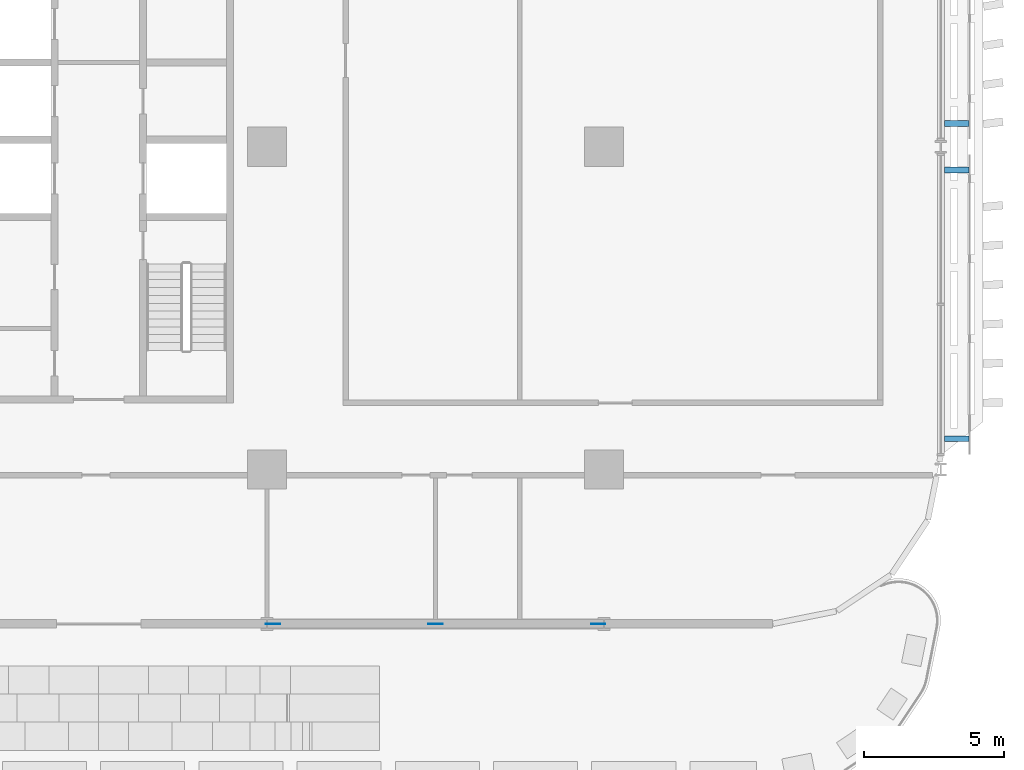
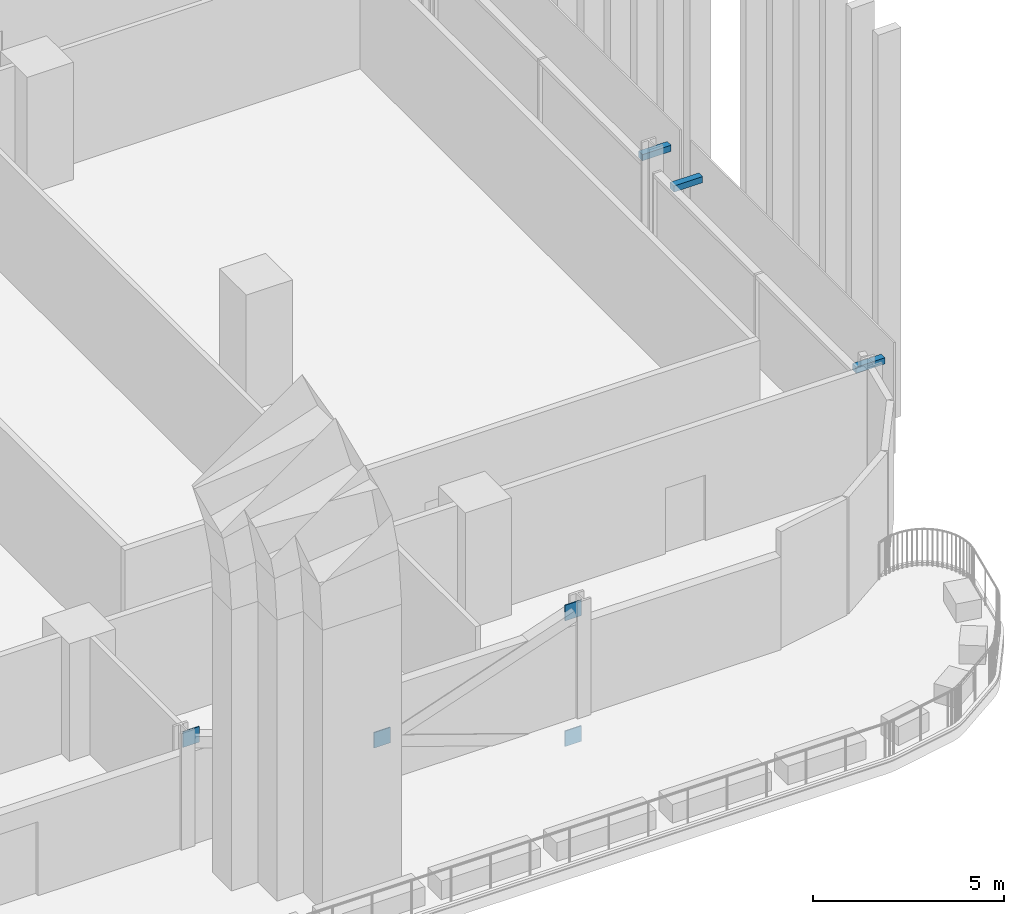
# One storey, part 20 of 31: 7 discrete accessories.
"""IFC4 building model written with IfcOpenShell, lengths in metres."""

from ifc_helpers import new_model, si_unit, direction, frame, origin, origin_2d, place, context, subcontext, project, spatial, rectangle, extrude, material, layer, layer_set, type_object, element, save


model = new_model("IFC4")

# Units and contexts
model_context = context("Model", 3, precision=1e-05, world=origin(), true_north=direction((0.0, 1.0)))
body_context = subcontext(model_context, "Body", "Model", "MODEL_VIEW")
ifc_project = project(units=[si_unit("LENGTHUNIT", "METRE"), si_unit("AREAUNIT", "SQUARE_METRE"), si_unit("VOLUMEUNIT", "CUBIC_METRE"), si_unit("PLANEANGLEUNIT", "RADIAN"), si_unit("MASSUNIT", "GRAM", prefix="KILO")], contexts=[model_context])

# Site, building, storey
site_placement = place(None, origin())
site = spatial("IfcSite", under=ifc_project, at=site_placement, CompositionType="ELEMENT")
building_placement = place(site_placement, origin())
building = spatial("IfcBuilding", under=site, at=building_placement, Name="Mahtab Terrace Research Tower", CompositionType="ELEMENT")
storey_placement = place(building_placement, frame((0.0, 0.0, 84.800048828125)))
storey = spatial("IfcBuildingStorey", under=building, at=storey_placement, Name="L19", CompositionType="ELEMENT", Elevation=84.800048828125)

# Discrete accessories
ifc_material_1 = material(Name="Black anodised aluminium", Category="aluminium")
discrete_accessory_type_1 = type_object("IfcDiscreteAccessoryType", Name="Facade bracket", PredefinedType="BRACKET", material=ifc_material_1)
for number, where, z_axis, x_axis, name in (
    (1, (54.5625, -10.39990234375, 2.703125), (0.0, 0.0, 1.0), (0.0, 1.0, 0.0), "Screen bracket Girih screen L19 E37"),
    (2, (54.5625, -0.827880859375, 2.703125), (0.0, 0.0, 1.0), (0.0, 1.0, 0.0), "Screen bracket Girih screen L19 E37"),
    (3, (54.5625, 0.827880859375, 2.703125), (0.0, 0.0, 1.0), (0.0, 1.0, 0.0), "Screen bracket Girih screen L19 E38"),
):
    element("IfcDiscreteAccessory", number, at=place(storey_placement, frame(where, z_axis=z_axis, x_axis=x_axis)), inside=storey, type_object=discrete_accessory_type_1, Name=name, PredefinedType="BRACKET", context=body_context, shape_type="SweptSolid", body=[
        extrude(rectangle(XDim=0.199951171875, YDim=0.875, at=origin_2d()), origin(), (0.0, 0.0, 1.0), 0.199951171875),
    ])
ifc_material_2 = material(Name="Steel ASTM A992 Gr 50", Category="steel")
ifc_layer = layer(ifc_material_2, 0.030029296875)
ifc_layer_set = layer_set([ifc_layer], Name="Gusset plate 500x500x30")
discrete_accessory_type_2 = type_object("IfcDiscreteAccessoryType", Name="Gusset plate 500x500x30", PredefinedType="USERDEFINED", material=ifc_layer_set)
for number, where, z_axis, x_axis, name in (
    (4, (30.209716796875, -17.0, 3.131591796875), (0.0, 0.0, 1.0), (1.0, 0.0, 0.0), "Gusset plate"),
    (5, (36.0, -17.0, 1.08154296875), (0.0, 0.0, 1.0), (1.0, 0.0, 0.0), "Gusset plate"),
    (6, (41.790283203125, -17.0, -0.89697265625), (0.0, 0.0, 1.0), (1.0, 0.0, 0.0), "Gusset plate"),
    (7, (41.790283203125, -17.0, 3.131591796875), (0.0, 0.0, 1.0), (1.0, 0.0, 0.0), "Gusset plate"),
):
    element("IfcDiscreteAccessory", number, at=place(storey_placement, frame(where, z_axis=z_axis, x_axis=x_axis)), inside=storey, type_object=discrete_accessory_type_2, Name=name, ObjectType="GUSSET PLATE", PredefinedType="USERDEFINED", context=body_context, shape_type="SweptSolid", body=[
        extrude(rectangle(XDim=0.5, YDim=0.030029296875, at=origin_2d()), origin(), (0.0, 0.0, 1.0), 0.5),
    ])

save(model, "model.ifc")
